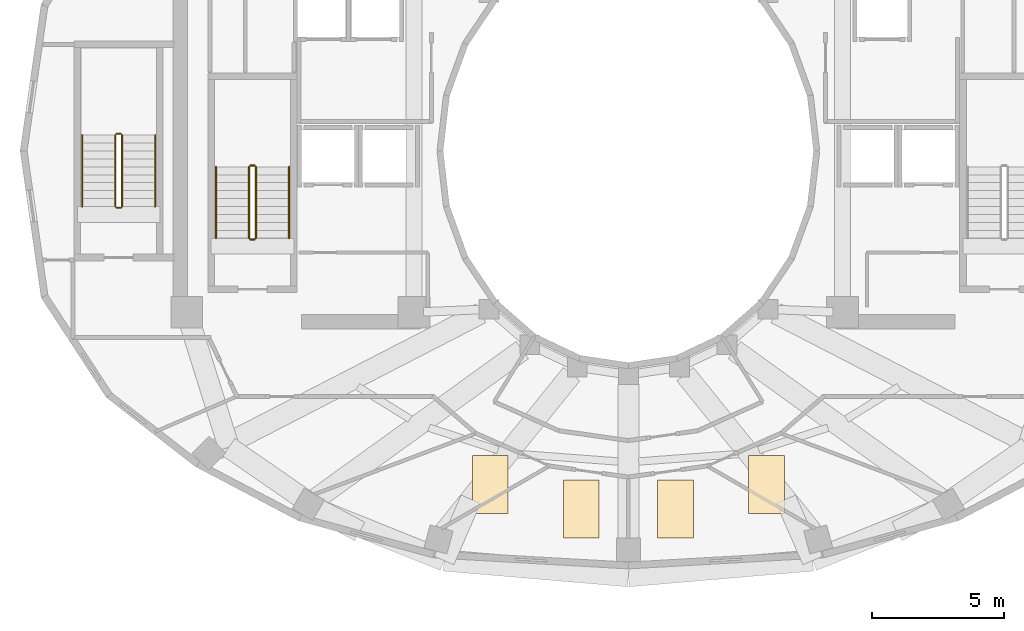
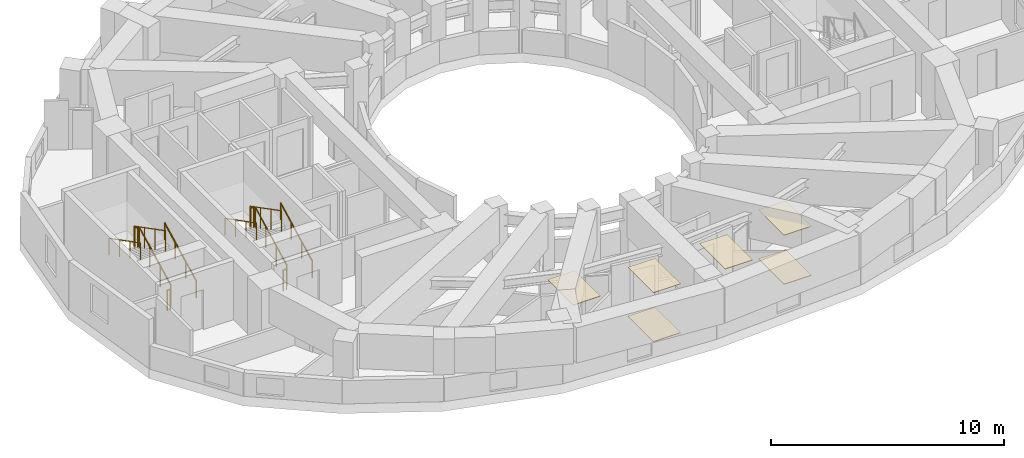
# One storey, part 8 of 9: 12 railings, 6 coverings.
"""IFC4 building model written with IfcOpenShell, lengths in metres."""

from ifc_helpers import new_model, si_unit, direction, frame, origin, origin_2d, place, context, subcontext, project, spatial, polyline, circle, outline, extrude, material, layer, layer_set, type_object, element, save


model = new_model("IFC4")

# Units and contexts
model_context = context("Model", 3, precision=1e-05, world=origin(), true_north=direction((0.0, 1.0)))
body_context = subcontext(model_context, "Body", "Model", "MODEL_VIEW")
ifc_project = project(units=[si_unit("LENGTHUNIT", "METRE"), si_unit("AREAUNIT", "SQUARE_METRE"), si_unit("VOLUMEUNIT", "CUBIC_METRE"), si_unit("PLANEANGLEUNIT", "RADIAN"), si_unit("MASSUNIT", "GRAM", prefix="KILO")], contexts=[model_context])

# Site, building, storey
site_placement = place(None, origin())
site = spatial("IfcSite", under=ifc_project, at=site_placement, CompositionType="ELEMENT")
building_placement = place(site_placement, origin())
building = spatial("IfcBuilding", under=site, at=building_placement, Name="Solvane Sanctuary Tower", CompositionType="ELEMENT")
storey_placement = place(building_placement, frame((0.0, 0.0, 190.10009765625)))
storey = spatial("IfcBuildingStorey", under=building, at=storey_placement, Name="L58", CompositionType="ELEMENT", Elevation=190.10009765625)

# Coverings
ifc_material_1 = material(Name="Acoustic Gypsum Partition Board")
ifc_layer_1 = layer(ifc_material_1, 0.02490234375, Name="Acoustic Gypsum Partition Board")
ifc_layer_set_1 = layer_set([ifc_layer_1], Name="Acoustic Gypsum Partition Board")
covering_type_1 = type_object("IfcCoveringType", Name="Covering CLG-ACOUST", PredefinedType="CEILING", material=ifc_layer_set_1)
covering_1_placement = place(storey_placement, frame((0.0, 0.0, 2.56982421875)))
element("IfcCovering", 1, at=covering_1_placement, inside=storey, type_object=covering_type_1, Name="L58 Unit Acoustic Ceiling Panel 5", PredefinedType="CEILING", context=body_context, shape_type="SweptSolid", body=[
    extrude(outline(polyline([(26.10107421875, 9.2890625), (27.450927734375, 9.2890625), (27.450927734375, 11.489013671875), (26.10107421875, 11.489013671875), (26.10107421875, 9.2890625)])), origin(), (0.0, 0.0, 1.0), 0.030029296875),
])
covering_2_placement = place(storey_placement, frame((0.0, 0.0, 2.56982421875)))
element("IfcCovering", 2, at=covering_2_placement, inside=storey, type_object=covering_type_1, Name="L58 Unit Acoustic Ceiling Panel 6", PredefinedType="CEILING", context=body_context, shape_type="SweptSolid", body=[
    extrude(outline(polyline([(29.54296875, 8.366943359375), (30.89306640625, 8.366943359375), (30.89306640625, 10.56689453125), (29.54296875, 10.56689453125), (29.54296875, 8.366943359375)])), origin(), (0.0, 0.0, 1.0), 0.030029296875),
])
covering_3_placement = place(storey_placement, frame((0.0, 0.0, 2.56982421875)))
element("IfcCovering", 3, at=covering_3_placement, inside=storey, type_object=covering_type_1, Name="L58 Unit Acoustic Ceiling Panel 7", PredefinedType="CEILING", context=body_context, shape_type="SweptSolid", body=[
    extrude(outline(polyline([(33.10693359375, 8.366943359375), (34.45703125, 8.366943359375), (34.45703125, 10.56689453125), (33.10693359375, 10.56689453125), (33.10693359375, 8.366943359375)])), origin(), (0.0, 0.0, 1.0), 0.030029296875),
])
covering_4_placement = place(storey_placement, frame((0.0, 0.0, 2.56982421875)))
element("IfcCovering", 4, at=covering_4_placement, inside=storey, type_object=covering_type_1, Name="L58 Unit Acoustic Ceiling Panel 8", PredefinedType="CEILING", context=body_context, shape_type="SweptSolid", body=[
    extrude(outline(polyline([(36.549072265625, 9.2890625), (37.89892578125, 9.2890625), (37.89892578125, 11.489013671875), (36.549072265625, 11.489013671875), (36.549072265625, 9.2890625)])), origin(), (0.0, 0.0, 1.0), 0.030029296875),
])
ifc_material_2 = material(Name="Ceramic Tile Finish")
ifc_layer_2 = layer(ifc_material_2, 0.030029296875, Name="Ceramic Tile Finish")
ifc_layer_set_2 = layer_set([ifc_layer_2], Name="Ceramic Tile Finish")
covering_type_2 = type_object("IfcCoveringType", Name="Covering FLR-TERRAZZO", PredefinedType="FLOORING", material=ifc_layer_set_2)
covering_5_placement = place(storey_placement, origin())
element("IfcCovering", 5, at=covering_5_placement, inside=storey, type_object=covering_type_2, Name="L58 Unit Terrazzo Inlay 6", PredefinedType="FLOORING", context=body_context, shape_type="SweptSolid", body=[
    extrude(outline(polyline([(29.54296875, 8.366943359375), (30.89306640625, 8.366943359375), (30.89306640625, 10.56689453125), (29.54296875, 10.56689453125), (29.54296875, 8.366943359375)])), origin(), (0.0, 0.0, 1.0), 0.034912109375),
])
covering_6_placement = place(storey_placement, origin())
element("IfcCovering", 6, at=covering_6_placement, inside=storey, type_object=covering_type_2, Name="L58 Unit Terrazzo Inlay 8", PredefinedType="FLOORING", context=body_context, shape_type="SweptSolid", body=[
    extrude(outline(polyline([(36.549072265625, 9.2890625), (37.89892578125, 9.2890625), (37.89892578125, 11.489013671875), (36.549072265625, 11.489013671875), (36.549072265625, 9.2890625)])), origin(), (0.0, 0.0, 1.0), 0.034912109375),
])

# Railings
ifc_material_3 = material(Name="Architectural Stainless Steel 316", Category="steel")
railing_type_1 = type_object("IfcRailingType", Name="Railing GR-BALC-1150", PredefinedType="BALUSTRADE", material=ifc_material_3)
railing_1_placement = place(storey_placement, frame((17.919921875, 19.699951171875, 0.15478515625)))
element("IfcRailing", 7, at=railing_1_placement, inside=storey, type_object=railing_type_1, Name="L58 ST-1 stair guard 1", PredefinedType="BALUSTRADE", context=body_context, shape_type="SweptSolid", body=[
    extrude(circle(Radius=0.02392578125, at=origin_2d()), frame((0.0, 0.0, 1.076171875), z_axis=(0.0, 0.888419900624, 0.459031676658), x_axis=(-1.0, 0.0, 0.0)), (0.0, 0.0, 1.0), 3.0390625),
    extrude(circle(Radius=0.02099609375, at=origin_2d()), origin(), (0.0, 0.0, 1.0), 1.052001953125),
    extrude(circle(Radius=0.02099609375, at=origin_2d()), frame((0.0, 0.89990234375, 0.465087890625)), (0.0, 0.0, 1.0), 1.052001953125),
    extrude(circle(Radius=0.02099609375, at=origin_2d()), frame((0.0, 1.800048828125, 0.929931640625)), (0.0, 0.0, 1.0), 1.052001953125),
    extrude(circle(Radius=0.02099609375, at=origin_2d()), frame((0.0, 2.699951171875, 1.39501953125)), (0.0, 0.0, 1.0), 1.052001953125),
])
railing_2_placement = place(storey_placement, frame((17.8701171875, 22.449951171875, 1.5498046875)))
element("IfcRailing", 8, at=railing_2_placement, inside=storey, type_object=railing_type_1, Name="L58 ST-1 stair guard 2", PredefinedType="BALUSTRADE", context=body_context, shape_type="SweptSolid", body=[
    extrude(circle(Radius=0.02392578125, at=origin_2d()), frame((0.0, 0.0, 1.076171875), z_axis=(-1.0, 0.0, 0.0), x_axis=(0.0, -1.0, 0.0)), (0.0, 0.0, 1.0), 0.16015625),
    extrude(circle(Radius=0.02099609375, at=origin_2d()), origin(), (0.0, 0.0, 1.0), 1.052001953125),
    extrude(circle(Radius=0.02099609375, at=origin_2d()), frame((-0.16015625, 0.0, 0.0)), (0.0, 0.0, 1.0), 1.052001953125),
])
railing_3_placement = place(storey_placement, frame((17.659912109375, 22.39990234375, 1.704833984375)))
element("IfcRailing", 9, at=railing_3_placement, inside=storey, type_object=railing_type_1, Name="L58 ST-1 stair guard 3", PredefinedType="BALUSTRADE", context=body_context, shape_type="SweptSolid", body=[
    extrude(circle(Radius=0.02392578125, at=origin_2d()), frame((0.0, 0.0, 1.076171875), z_axis=(0.0, -0.888419900624, 0.459031676658), x_axis=(1.0, 0.0, 0.0)), (0.0, 0.0, 1.0), 3.0390625),
    extrude(circle(Radius=0.02099609375, at=origin_2d()), origin(), (0.0, 0.0, 1.0), 1.052001953125),
    extrude(circle(Radius=0.02099609375, at=origin_2d()), frame((0.0, -0.89990234375, 0.465087890625)), (0.0, 0.0, 1.0), 1.052001953125),
    extrude(circle(Radius=0.02099609375, at=origin_2d()), frame((0.0, -1.800048828125, 0.929931640625)), (0.0, 0.0, 1.0), 1.052001953125),
    extrude(circle(Radius=0.02099609375, at=origin_2d()), frame((0.0, -2.699951171875, 1.39501953125)), (0.0, 0.0, 1.0), 1.052001953125),
])
railing_4_placement = place(storey_placement, frame((17.8701171875, 19.64990234375, 0.0)))
element("IfcRailing", 10, at=railing_4_placement, inside=storey, type_object=railing_type_1, Name="L58 ST-1 stair guard 4", PredefinedType="BALUSTRADE", context=body_context, shape_type="SweptSolid", body=[
    extrude(circle(Radius=0.02392578125, at=origin_2d()), frame((0.0, 0.0, 1.076171875), z_axis=(-1.0, 0.0, 0.0), x_axis=(0.0, -1.0, 0.0)), (0.0, 0.0, 1.0), 0.16015625),
    extrude(circle(Radius=0.02099609375, at=origin_2d()), origin(), (0.0, 0.0, 1.0), 1.052001953125),
    extrude(circle(Radius=0.02099609375, at=origin_2d()), frame((-0.16015625, 0.0, 0.0)), (0.0, 0.0, 1.0), 1.052001953125),
])
railing_5_placement = place(storey_placement, frame((12.860107421875, 20.89990234375, 0.15478515625)))
element("IfcRailing", 11, at=railing_5_placement, inside=storey, type_object=railing_type_1, Name="L58 ST-3 stair guard 1", PredefinedType="BALUSTRADE", context=body_context, shape_type="SweptSolid", body=[
    extrude(circle(Radius=0.02392578125, at=origin_2d()), frame((0.0, 0.0, 1.076171875), z_axis=(0.0, 0.888436826113, 0.458998917216), x_axis=(-1.0, 0.0, 0.0)), (0.0, 0.0, 1.0), 3.039306640625),
    extrude(circle(Radius=0.02099609375, at=origin_2d()), origin(), (0.0, 0.0, 1.0), 1.052001953125),
    extrude(circle(Radius=0.02099609375, at=origin_2d()), frame((0.0, 0.900146484375, 0.465087890625)), (0.0, 0.0, 1.0), 1.052001953125),
    extrude(circle(Radius=0.02099609375, at=origin_2d()), frame((0.0, 1.800048828125, 0.929931640625)), (0.0, 0.0, 1.0), 1.052001953125),
    extrude(circle(Radius=0.02099609375, at=origin_2d()), frame((0.0, 2.7001953125, 1.39501953125)), (0.0, 0.0, 1.0), 1.052001953125),
])
railing_6_placement = place(storey_placement, frame((12.81005859375, 23.64990234375, 1.5498046875)))
element("IfcRailing", 12, at=railing_6_placement, inside=storey, type_object=railing_type_1, Name="L58 ST-3 stair guard 2", PredefinedType="BALUSTRADE", context=body_context, shape_type="SweptSolid", body=[
    extrude(circle(Radius=0.02392578125, at=origin_2d()), frame((0.0, 0.0, 1.076171875), z_axis=(-1.0, 0.0, 0.0), x_axis=(0.0, -1.0, 0.0)), (0.0, 0.0, 1.0), 0.16015625),
    extrude(circle(Radius=0.02099609375, at=origin_2d()), origin(), (0.0, 0.0, 1.0), 1.052001953125),
    extrude(circle(Radius=0.02099609375, at=origin_2d()), frame((-0.16015625, 0.0, 0.0)), (0.0, 0.0, 1.0), 1.052001953125),
])
railing_7_placement = place(storey_placement, frame((12.60009765625, 23.60009765625, 1.704833984375)))
element("IfcRailing", 13, at=railing_7_placement, inside=storey, type_object=railing_type_1, Name="L58 ST-3 stair guard 3", PredefinedType="BALUSTRADE", context=body_context, shape_type="SweptSolid", body=[
    extrude(circle(Radius=0.02392578125, at=origin_2d()), frame((0.0, 0.0, 1.076171875), z_axis=(0.0, -0.888436826113, 0.458998917216), x_axis=(1.0, 0.0, 0.0)), (0.0, 0.0, 1.0), 3.039306640625),
    extrude(circle(Radius=0.02099609375, at=origin_2d()), origin(), (0.0, 0.0, 1.0), 1.052001953125),
    extrude(circle(Radius=0.02099609375, at=origin_2d()), frame((0.0, -0.900146484375, 0.465087890625)), (0.0, 0.0, 1.0), 1.052001953125),
    extrude(circle(Radius=0.02099609375, at=origin_2d()), frame((0.0, -1.800048828125, 0.929931640625)), (0.0, 0.0, 1.0), 1.052001953125),
    extrude(circle(Radius=0.02099609375, at=origin_2d()), frame((0.0, -2.7001953125, 1.39501953125)), (0.0, 0.0, 1.0), 1.052001953125),
])
railing_8_placement = place(storey_placement, frame((12.81005859375, 20.85009765625, 0.0)))
element("IfcRailing", 14, at=railing_8_placement, inside=storey, type_object=railing_type_1, Name="L58 ST-3 stair guard 4", PredefinedType="BALUSTRADE", context=body_context, shape_type="SweptSolid", body=[
    extrude(circle(Radius=0.02392578125, at=origin_2d()), frame((0.0, 0.0, 1.076171875), z_axis=(-1.0, 0.0, 0.0), x_axis=(0.0, -1.0, 0.0)), (0.0, 0.0, 1.0), 0.16015625),
    extrude(circle(Radius=0.02099609375, at=origin_2d()), origin(), (0.0, 0.0, 1.0), 1.052001953125),
    extrude(circle(Radius=0.02099609375, at=origin_2d()), frame((-0.16015625, 0.0, 0.0)), (0.0, 0.0, 1.0), 1.052001953125),
])
railing_type_2 = type_object("IfcRailingType", Name="Railing HR-STAIR-920", PredefinedType="HANDRAIL", material=ifc_material_3)
railing_9_placement = place(storey_placement, frame((19.169921875, 19.699951171875, 0.15478515625)))
element("IfcRailing", 15, at=railing_9_placement, inside=storey, type_object=railing_type_2, Name="L58 ST-1 stair handrail 1", PredefinedType="HANDRAIL", context=body_context, shape_type="SweptSolid", body=[
    extrude(circle(Radius=0.02392578125, at=origin_2d()), frame((0.0, 0.0, 0.8759765625), z_axis=(0.0, 0.888419900624, 0.459031676658), x_axis=(-1.0, 0.0, 0.0)), (0.0, 0.0, 1.0), 3.0390625),
    extrude(circle(Radius=0.02099609375, at=origin_2d()), origin(), (0.0, 0.0, 1.0), 0.851806640625),
    extrude(circle(Radius=0.02099609375, at=origin_2d()), frame((0.0, 0.89990234375, 0.465087890625)), (0.0, 0.0, 1.0), 0.851806640625),
    extrude(circle(Radius=0.02099609375, at=origin_2d()), frame((0.0, 1.800048828125, 0.929931640625)), (0.0, 0.0, 1.0), 0.851806640625),
    extrude(circle(Radius=0.02099609375, at=origin_2d()), frame((0.0, 2.699951171875, 1.39501953125)), (0.0, 0.0, 1.0), 0.851806640625),
])
railing_10_placement = place(storey_placement, frame((16.409912109375, 22.39990234375, 1.704833984375)))
element("IfcRailing", 16, at=railing_10_placement, inside=storey, type_object=railing_type_2, Name="L58 ST-1 stair handrail 2", PredefinedType="HANDRAIL", context=body_context, shape_type="SweptSolid", body=[
    extrude(circle(Radius=0.02392578125, at=origin_2d()), frame((0.0, 0.0, 0.8759765625), z_axis=(0.0, -0.888419900624, 0.459031676658), x_axis=(1.0, 0.0, 0.0)), (0.0, 0.0, 1.0), 3.0390625),
    extrude(circle(Radius=0.02099609375, at=origin_2d()), origin(), (0.0, 0.0, 1.0), 0.851806640625),
    extrude(circle(Radius=0.02099609375, at=origin_2d()), frame((0.0, -0.89990234375, 0.465087890625)), (0.0, 0.0, 1.0), 0.851806640625),
    extrude(circle(Radius=0.02099609375, at=origin_2d()), frame((0.0, -1.800048828125, 0.929931640625)), (0.0, 0.0, 1.0), 0.851806640625),
    extrude(circle(Radius=0.02099609375, at=origin_2d()), frame((0.0, -2.699951171875, 1.39501953125)), (0.0, 0.0, 1.0), 0.851806640625),
])
railing_11_placement = place(storey_placement, frame((14.110107421875, 20.89990234375, 0.15478515625)))
element("IfcRailing", 17, at=railing_11_placement, inside=storey, type_object=railing_type_2, Name="L58 ST-3 stair handrail 1", PredefinedType="HANDRAIL", context=body_context, shape_type="SweptSolid", body=[
    extrude(circle(Radius=0.02392578125, at=origin_2d()), frame((0.0, 0.0, 0.8759765625), z_axis=(0.0, 0.888436826113, 0.458998917216), x_axis=(-1.0, 0.0, 0.0)), (0.0, 0.0, 1.0), 3.039306640625),
    extrude(circle(Radius=0.02099609375, at=origin_2d()), origin(), (0.0, 0.0, 1.0), 0.851806640625),
    extrude(circle(Radius=0.02099609375, at=origin_2d()), frame((0.0, 0.900146484375, 0.465087890625)), (0.0, 0.0, 1.0), 0.851806640625),
    extrude(circle(Radius=0.02099609375, at=origin_2d()), frame((0.0, 1.800048828125, 0.929931640625)), (0.0, 0.0, 1.0), 0.851806640625),
    extrude(circle(Radius=0.02099609375, at=origin_2d()), frame((0.0, 2.7001953125, 1.39501953125)), (0.0, 0.0, 1.0), 0.851806640625),
])
railing_12_placement = place(storey_placement, frame((11.35009765625, 23.60009765625, 1.704833984375)))
element("IfcRailing", 18, at=railing_12_placement, inside=storey, type_object=railing_type_2, Name="L58 ST-3 stair handrail 2", PredefinedType="HANDRAIL", context=body_context, shape_type="SweptSolid", body=[
    extrude(circle(Radius=0.02392578125, at=origin_2d()), frame((0.0, 0.0, 0.8759765625), z_axis=(0.0, -0.888436826113, 0.458998917216), x_axis=(1.0, 0.0, 0.0)), (0.0, 0.0, 1.0), 3.039306640625),
    extrude(circle(Radius=0.02099609375, at=origin_2d()), origin(), (0.0, 0.0, 1.0), 0.851806640625),
    extrude(circle(Radius=0.02099609375, at=origin_2d()), frame((0.0, -0.900146484375, 0.465087890625)), (0.0, 0.0, 1.0), 0.851806640625),
    extrude(circle(Radius=0.02099609375, at=origin_2d()), frame((0.0, -1.800048828125, 0.929931640625)), (0.0, 0.0, 1.0), 0.851806640625),
    extrude(circle(Radius=0.02099609375, at=origin_2d()), frame((0.0, -2.7001953125, 1.39501953125)), (0.0, 0.0, 1.0), 0.851806640625),
])

save(model, "model.ifc")
